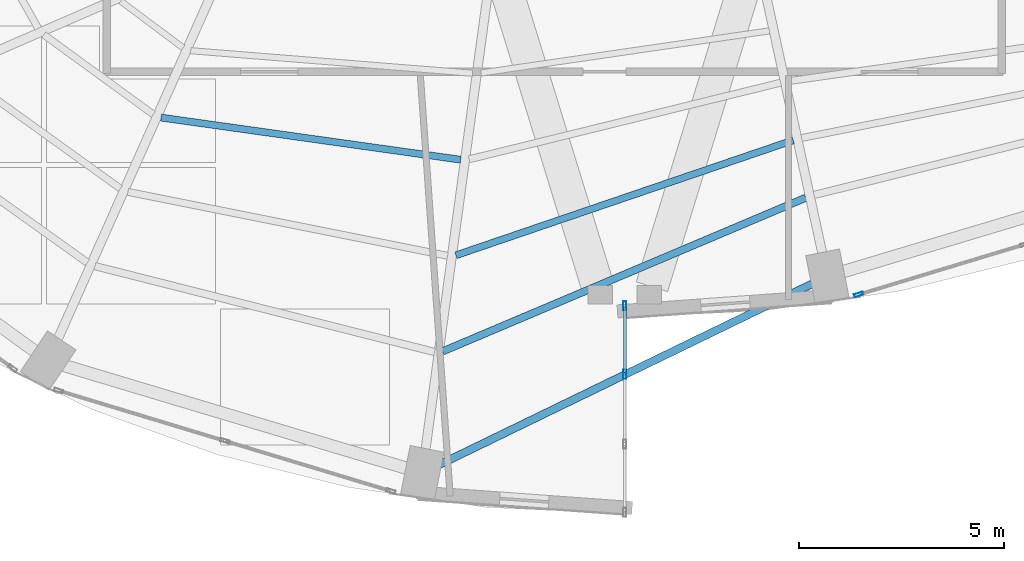
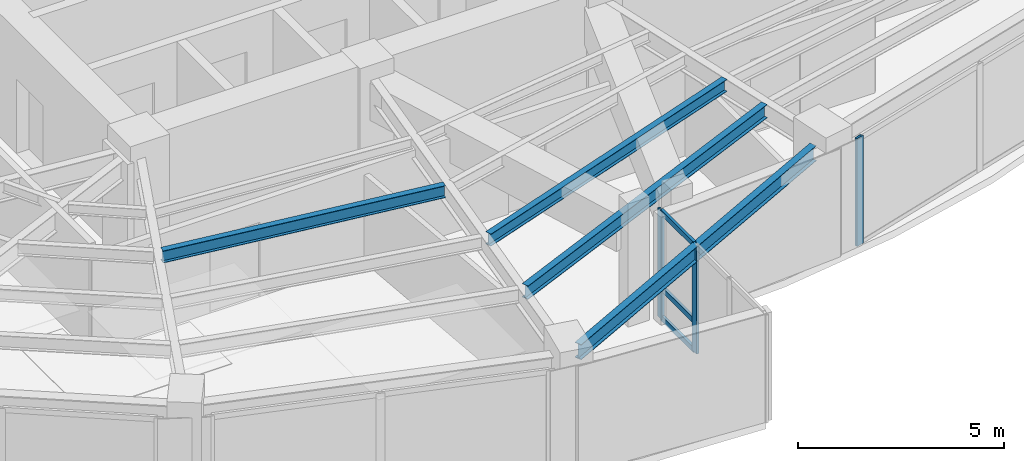
# One storey, part 6 of 24: 6 members, 4 beams, 2 elements without a shape of their own.
"""IFC4 building model written with IfcOpenShell, lengths in metres."""

from ifc_helpers import new_model, si_unit, direction, frame, origin, origin_2d, place, context, subcontext, project, spatial, hollow_rectangle, i_section, extrude, material, layer, layer_set, material_profile, profile_set, type_object, element, aggregate, save


model = new_model("IFC4")

# Units and contexts
model_context = context("Model", 3, precision=1e-05, world=origin(), true_north=direction((0.0, 1.0)))
body_context = subcontext(model_context, "Body", "Model", "MODEL_VIEW")
ifc_project = project(units=[si_unit("LENGTHUNIT", "METRE"), si_unit("AREAUNIT", "SQUARE_METRE"), si_unit("VOLUMEUNIT", "CUBIC_METRE"), si_unit("PLANEANGLEUNIT", "RADIAN"), si_unit("MASSUNIT", "GRAM", prefix="KILO")], contexts=[model_context])

# Site, building, storey
site_placement = place(None, origin())
site = spatial("IfcSite", under=ifc_project, at=site_placement, CompositionType="ELEMENT")
building_placement = place(site_placement, origin())
building = spatial("IfcBuilding", under=site, at=building_placement, Name="Lazwardi Medical Tower", CompositionType="ELEMENT")
storey_placement = place(building_placement, frame((0.0, 0.0, 129.16796875)))
storey = spatial("IfcBuildingStorey", under=building, at=storey_placement, Name="L33", CompositionType="ELEMENT", Elevation=129.16796875)

# Beams
ifc_material_1 = material(Name="Steel S355", Category="steel")
ifc_material_profile_1 = material_profile(ifc_material_1, i_section(OverallWidth=0.179931640625, OverallDepth=0.39990234375, WebThickness=0.008544921875, FlangeThickness=0.013427734375, at=origin_2d()), Name="IPE 400")
ifc_profile_set_1 = profile_set([ifc_material_profile_1], Name="Steel S355")
beam_type_1 = type_object("IfcBeamType", Name="BM-SJ-01", PredefinedType="JOIST", material=ifc_profile_set_1)
beam_1_placement = place(storey_placement, frame((31.550537109375, 10.571533203125, 2.998046875), z_axis=(0.920947307957, 0.389687125739, 0.0), x_axis=(-0.389687125739, 0.920947307957, 0.0)))
element("IfcBeam", 1, at=beam_1_placement, inside=storey, type_object=beam_type_1, Name="Secondary joist SJ-01 R1 B16 L33", PredefinedType="JOIST", context=body_context, shape_type="SweptSolid", body=[
    extrude(i_section(OverallWidth=0.179931640625, OverallDepth=0.39990234375, WebThickness=0.008544921875, FlangeThickness=0.013427734375, at=origin_2d()), origin(), (0.0, 0.0, 1.0), 9.63134765625),
])
ifc_material_profile_2 = material_profile(ifc_material_1, i_section(OverallWidth=0.169921875, OverallDepth=0.360107421875, WebThickness=0.008056640625, FlangeThickness=0.0126953125, at=origin_2d()), Name="IPE 360")
ifc_profile_set_2 = profile_set([ifc_material_profile_2], Name="Steel S355")
beam_type_2 = type_object("IfcBeamType", Name="BM-SJ-02", PredefinedType="JOIST", material=ifc_profile_set_2)
beam_2_placement = place(storey_placement, frame((31.874267578125, 12.91796875, 3.01806640625), z_axis=(0.946467154368, 0.322800132749, 0.0), x_axis=(-0.322800132749, 0.946467154368, 0.0)))
element("IfcBeam", 2, at=beam_2_placement, inside=storey, type_object=beam_type_2, Name="Secondary joist SJ-02 R2 B16 L33", PredefinedType="JOIST", context=body_context, shape_type="SweptSolid", body=[
    extrude(i_section(OverallWidth=0.169921875, OverallDepth=0.360107421875, WebThickness=0.008056640625, FlangeThickness=0.0126953125, at=origin_2d()), origin(), (0.0, 0.0, 1.0), 8.70458984375),
])
beam_3_placement = place(storey_placement, frame((24.67431640625, 16.281005859375, 3.01806640625), z_axis=(0.990260920731, -0.139223952222, 0.0), x_axis=(0.139223952222, 0.990260920731, 0.0)))
element("IfcBeam", 3, at=beam_3_placement, inside=storey, type_object=beam_type_2, Name="Secondary joist SJ-02 R3 B15 L33", PredefinedType="JOIST", context=body_context, shape_type="SweptSolid", body=[
    extrude(i_section(OverallWidth=0.169921875, OverallDepth=0.360107421875, WebThickness=0.008056640625, FlangeThickness=0.0126953125, at=origin_2d()), origin(), (0.0, 0.0, 1.0), 7.3896484375),
])
ifc_material_profile_3 = material_profile(ifc_material_1, i_section(OverallWidth=0.18994140625, OverallDepth=0.449951171875, WebThickness=0.009521484375, FlangeThickness=0.0146484375, at=origin_2d()), Name="IPE 450")
ifc_profile_set_3 = profile_set([ifc_material_profile_3], Name="Steel S355")
beam_type_3 = type_object("IfcBeamType", Name="BM-SP-01", PredefinedType="SPANDREL", material=ifc_profile_set_3)
beam_4_placement = place(storey_placement, frame((31.42333984375, 7.781494140625, 2.97314453125), z_axis=(0.899653336227, 0.436604941125, 0.0), x_axis=(-0.436604941125, 0.899653336227, 0.0)))
element("IfcBeam", 4, at=beam_4_placement, inside=storey, type_object=beam_type_3, Name="Spandrel beam SP-01 B16 L33", PredefinedType="SPANDREL", context=body_context, shape_type="SweptSolid", body=[
    extrude(i_section(OverallWidth=0.18994140625, OverallDepth=0.449951171875, WebThickness=0.009521484375, FlangeThickness=0.0146484375, at=origin_2d()), origin(), (0.0, 0.0, 1.0), 10.17431640625),
])

# Curtain wall, member
ifc_material_2 = material(Name="Anodised bronze aluminium and solar control glazing", Category="aluminium")
ifc_layer_1 = layer(ifc_material_2, 0.195068359375)
ifc_layer_set_1 = layer_set([ifc_layer_1], Name="Anodised bronze aluminium and solar control glazing")
curtain_wall_type_1 = type_object("IfcCurtainWallType", Name="CW-SYS-03", PredefinedType="NOTDEFINED", material=ifc_layer_set_1)
curtain_wall_1_placement = place(storey_placement, origin())
curtain_wall_1 = element("IfcCurtainWall", 5, at=curtain_wall_1_placement, inside=storey, type_object=curtain_wall_type_1, Name="L33 Unitised bronze curtain wall CW-03", PredefinedType="NOTDEFINED")
ifc_material_3 = material(Name="Anodised bronze aluminium", Category="aluminium")
ifc_material_profile_4 = material_profile(ifc_material_3, hollow_rectangle(XDim=0.074951171875, YDim=0.219970703125, WallThickness=0.00390625, at=origin_2d()), Name="ALU-MULLION 220x75x4")
ifc_profile_set_4 = profile_set([ifc_material_profile_4], Name="Anodised bronze aluminium")
member_type_1 = type_object("IfcMemberType", Name="CW-MUL-01", PredefinedType="MULLION", material=ifc_profile_set_4)
member_1_placement = place(storey_placement, frame((41.710205078125, 11.9599609375, 0.0), z_axis=(0.0, 0.0, 1.0), x_axis=(-0.28937381157, 0.957216170558, 0.0)))
member_1 = element("IfcMember", 6, at=member_1_placement, type_object=member_type_1, Name="CW-03 mullion 1", PredefinedType="MULLION", context=body_context, shape_type="SweptSolid", body=[
    extrude(hollow_rectangle(XDim=0.074951171875, YDim=0.219970703125, WallThickness=0.00390625, at=origin_2d()), origin(), (0.0, 0.0, 1.0), 3.197998046875),
])
aggregate(curtain_wall_1, [member_1])

# Curtain wall, members
ifc_layer_2 = layer(ifc_material_2, 0.2099609375)
ifc_layer_set_2 = layer_set([ifc_layer_2], Name="Anodised bronze aluminium and solar control glazing")
curtain_wall_type_2 = type_object("IfcCurtainWallType", Name="CW-SYS-06", PredefinedType="NOTDEFINED", material=ifc_layer_set_2)
curtain_wall_2_placement = place(storey_placement, origin())
curtain_wall_2 = element("IfcCurtainWall", 7, at=curtain_wall_2_placement, inside=storey, type_object=curtain_wall_type_2, Name="L33 Unitised bronze curtain wall CW-06", PredefinedType="NOTDEFINED")
member_2_placement = place(storey_placement, frame((36.0, 10.013427734375, 0.0), z_axis=(0.0, 0.0, 1.0), x_axis=(-1.0, 0.0, 0.0)))
member_2 = element("IfcMember", 8, at=member_2_placement, type_object=member_type_1, Name="CW-06 mullion 3", PredefinedType="MULLION", context=body_context, shape_type="SweptSolid", body=[
    extrude(hollow_rectangle(XDim=0.074951171875, YDim=0.219970703125, WallThickness=0.00390625, at=origin_2d()), origin(), (0.0, 0.0, 1.0), 3.197998046875),
])
member_3_placement = place(storey_placement, frame((36.0, 11.6826171875, 0.0), z_axis=(0.0, 0.0, 1.0), x_axis=(-1.0, 0.0, 0.0)))
member_3 = element("IfcMember", 9, at=member_3_placement, type_object=member_type_1, Name="CW-06 mullion 4", PredefinedType="MULLION", context=body_context, shape_type="SweptSolid", body=[
    extrude(hollow_rectangle(XDim=0.074951171875, YDim=0.219970703125, WallThickness=0.00390625, at=origin_2d()), origin(), (0.0, 0.0, 1.0), 3.197998046875),
])
ifc_material_profile_5 = material_profile(ifc_material_3, hollow_rectangle(XDim=0.074951171875, YDim=0.159912109375, WallThickness=0.00390625, at=origin_2d()), Name="ALU-TRANSOM 160x75x4")
ifc_profile_set_5 = profile_set([ifc_material_profile_5], Name="Anodised bronze aluminium")
member_type_2 = type_object("IfcMemberType", Name="CW-TRN-01", PredefinedType="USERDEFINED", material=ifc_profile_set_5)
member_4_placement = place(storey_placement, frame((36.0, 10.05078125, 0.03759765625), z_axis=(0.0, 1.0, 0.0), x_axis=(-1.0, 0.0, 0.0)))
member_4 = element("IfcMember", 10, at=member_4_placement, type_object=member_type_2, Name="CW-06 transom 3.1", ObjectType="TRANSOM", PredefinedType="USERDEFINED", context=body_context, shape_type="SweptSolid", body=[
    extrude(hollow_rectangle(XDim=0.074951171875, YDim=0.159912109375, WallThickness=0.00390625, at=origin_2d()), origin(), (0.0, 0.0, 1.0), 1.59423828125),
])
member_5_placement = place(storey_placement, frame((36.0, 10.05078125, 0.900146484375), z_axis=(0.0, 1.0, 0.0), x_axis=(-1.0, 0.0, 0.0)))
member_5 = element("IfcMember", 11, at=member_5_placement, type_object=member_type_2, Name="CW-06 transom 3.2", ObjectType="TRANSOM", PredefinedType="USERDEFINED", context=body_context, shape_type="SweptSolid", body=[
    extrude(hollow_rectangle(XDim=0.074951171875, YDim=0.159912109375, WallThickness=0.00390625, at=origin_2d()), origin(), (0.0, 0.0, 1.0), 1.59423828125),
])
member_6_placement = place(storey_placement, frame((36.0, 10.05078125, 3.16064453125), z_axis=(0.0, 1.0, 0.0), x_axis=(-1.0, 0.0, 0.0)))
member_6 = element("IfcMember", 12, at=member_6_placement, type_object=member_type_2, Name="CW-06 transom 3.3", ObjectType="TRANSOM", PredefinedType="USERDEFINED", context=body_context, shape_type="SweptSolid", body=[
    extrude(hollow_rectangle(XDim=0.074951171875, YDim=0.159912109375, WallThickness=0.00390625, at=origin_2d()), origin(), (0.0, 0.0, 1.0), 1.59423828125),
])
aggregate(curtain_wall_2, [member_2, member_3, member_4, member_5, member_6])

save(model, "model.ifc")
